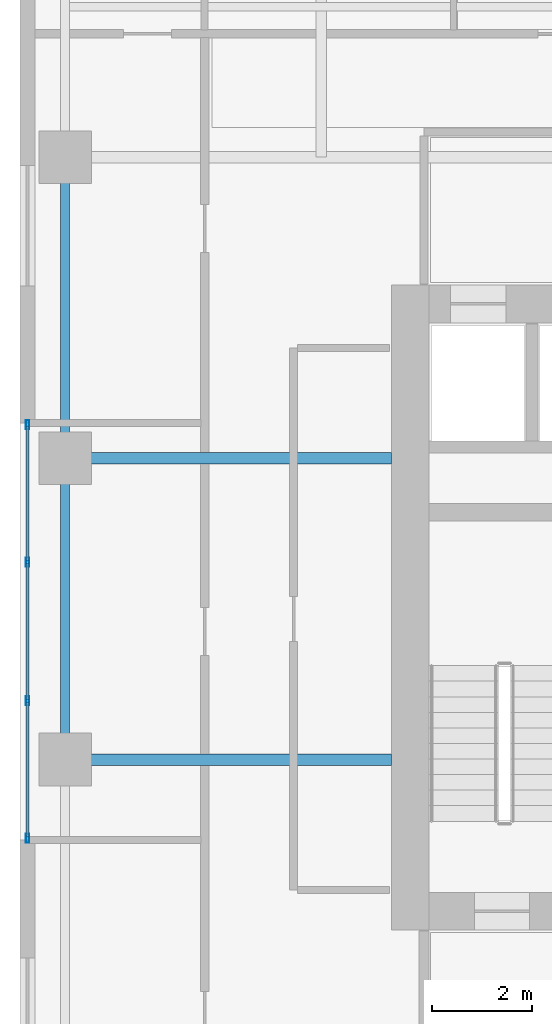
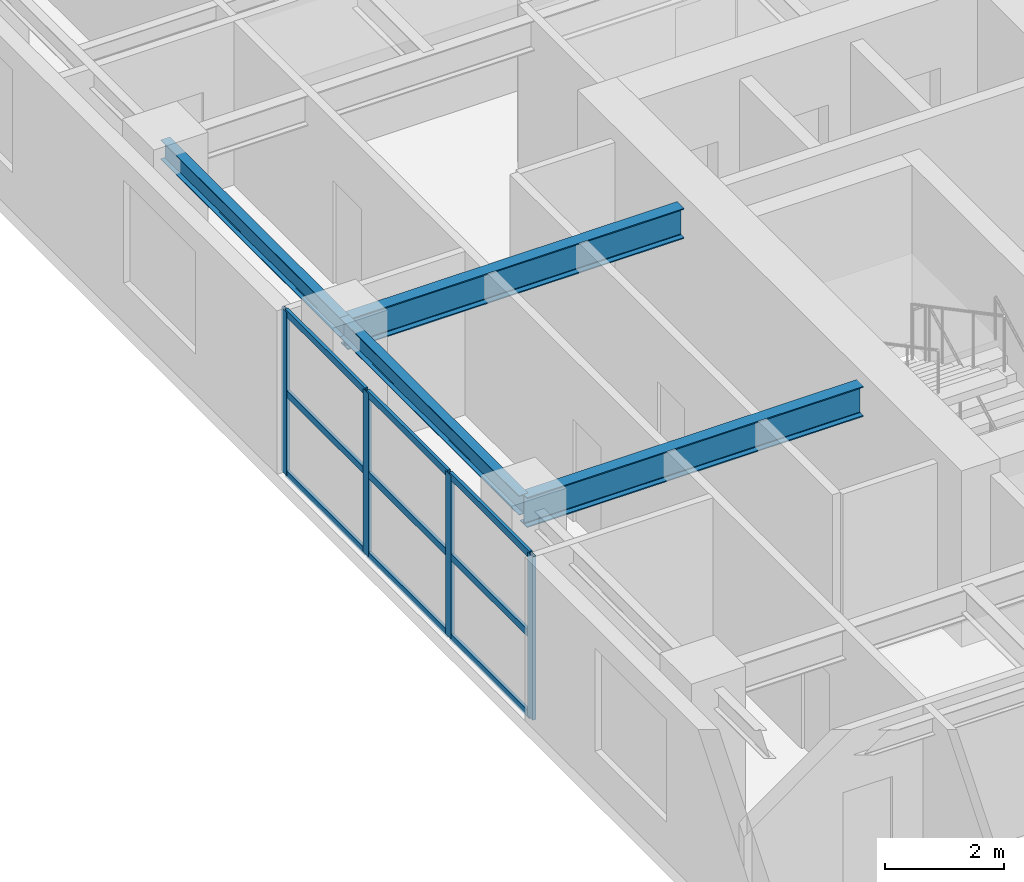
# One storey, part 2 of 16: 13 members, 4 beams, 1 element without a shape of its own.
"""IFC4 building model written with IfcOpenShell, lengths in metres."""

from ifc_helpers import new_model, si_unit, direction, frame, origin, origin_2d, place, context, subcontext, project, spatial, hollow_rectangle, i_section, extrude, source, transform, mapped, material, layer, layer_set, material_profile, profile_set, type_object, element, aggregate, save


model = new_model("IFC4")

# Units and contexts
model_context = context("Model", 3, precision=1e-05, world=origin(), true_north=direction((0.0, 1.0)))
body_context = subcontext(model_context, "Body", "Model", "MODEL_VIEW")
ifc_project = project(units=[si_unit("LENGTHUNIT", "METRE"), si_unit("AREAUNIT", "SQUARE_METRE"), si_unit("VOLUMEUNIT", "CUBIC_METRE"), si_unit("PLANEANGLEUNIT", "RADIAN"), si_unit("MASSUNIT", "GRAM", prefix="KILO")], contexts=[model_context])

# Site, building, storey
site_placement = place(None, origin())
site = spatial("IfcSite", under=ifc_project, at=site_placement, CompositionType="ELEMENT")
building_placement = place(site_placement, origin())
building = spatial("IfcBuilding", under=site, at=building_placement, Name="Khoralis Quay Care Tower", CompositionType="ELEMENT")
storey_placement = place(building_placement, frame((0.0, 0.0, 137.699951171875)))
storey = spatial("IfcBuildingStorey", under=building, at=storey_placement, Name="L36", CompositionType="ELEMENT", Elevation=137.699951171875)

# Beams
ifc_material_1 = material(Name="Steel S355", Category="steel")
ifc_material_profile_1 = material_profile(ifc_material_1, i_section(OverallWidth=0.179931640625, OverallDepth=0.39990234375, WebThickness=0.008544921875, FlangeThickness=0.013427734375, FilletRadius=0.02099609375, at=origin_2d()), Name="Steel S355")
ifc_profile_set_1 = profile_set([ifc_material_profile_1], Name="Steel S355")
beam_type_1 = type_object("IfcBeamType", Name="BM-IPE400", PredefinedType="SPANDREL", material=ifc_profile_set_1)
shared_shape_1 = source(origin(), body_context, "Body", "SweptSolid", [
    extrude(i_section(OverallWidth=0.179931640625, OverallDepth=0.39990234375, WebThickness=0.008544921875, FlangeThickness=0.013427734375, FilletRadius=0.02099609375, at=origin_2d()), origin(), (0.0, 0.0, 1.0), 6.0),
])
for number, where, z_axis, x_axis, name in (
    (1, (0.89990234375, 18.0, 3.14013671875), (0.0, 1.0, 0.0), (-1.0, 0.0, 0.0), "BM-TSP-L36-13"),
    (2, (0.89990234375, 24.0, 3.14013671875), (0.0, 1.0, 0.0), (-1.0, 0.0, 0.0), "BM-TSP-L36-14"),
):
    element("IfcBeam", number, at=place(storey_placement, frame(where, z_axis=z_axis, x_axis=x_axis)), inside=storey, type_object=beam_type_1, Name=name, PredefinedType="SPANDREL", context=body_context, shape_type="MappedRepresentation", body=[
        mapped(shared_shape_1, transform((0.0, 0.0, 0.0), scale=1.0)),
    ])
ifc_material_profile_2 = material_profile(ifc_material_1, i_section(OverallWidth=0.22998046875, OverallDepth=0.616943359375, WebThickness=0.01318359375, FlangeThickness=0.022216796875, FilletRadius=0.01806640625, at=origin_2d()), Name="Steel S355")
ifc_profile_set_2 = profile_set([ifc_material_profile_2], Name="Steel S355")
beam_type_2 = type_object("IfcBeamType", Name="BM-W610X140", PredefinedType="BEAM", material=ifc_profile_set_2)
shared_shape_2 = source(origin(), body_context, "Body", "SweptSolid", [
    extrude(i_section(OverallWidth=0.22998046875, OverallDepth=0.616943359375, WebThickness=0.01318359375, FlangeThickness=0.022216796875, FilletRadius=0.01806640625, at=origin_2d()), origin(), (0.0, 0.0, 1.0), 6.502197265625),
])
for number, where, z_axis, x_axis, name in (
    (3, (0.89990234375, 18.0, 3.031494140625), (1.0, 0.0, 0.0), (0.0, 1.0, 0.0), "BM-TGXW-L36-180"),
    (4, (0.89990234375, 24.0, 3.031494140625), (1.0, 0.0, 0.0), (0.0, 1.0, 0.0), "BM-TGXW-L36-240"),
):
    element("IfcBeam", number, at=place(storey_placement, frame(where, z_axis=z_axis, x_axis=x_axis)), inside=storey, type_object=beam_type_2, Name=name, PredefinedType="BEAM", context=body_context, shape_type="MappedRepresentation", body=[
        mapped(shared_shape_2, transform((0.0, 0.0, 0.0), scale=1.0)),
    ])

# Curtain wall, members
ifc_material_2 = material(Name="Pale anodised aluminium", Category="aluminium")
ifc_layer = layer(ifc_material_2, 0.169921875)
ifc_layer_set = layer_set([ifc_layer], Name="Pale anodised aluminium")
curtain_wall_type = type_object("IfcCurtainWallType", Name="CW-SYS-Z2", PredefinedType="NOTDEFINED", material=ifc_layer_set)
curtain_wall_placement = place(storey_placement, origin())
curtain_wall = element("IfcCurtainWall", 5, at=curtain_wall_placement, inside=storey, type_object=curtain_wall_type, Name="L36 Unitised Curtain Wall CW-L36-P1-E15", PredefinedType="NOTDEFINED")
ifc_material_profile_3 = material_profile(ifc_material_2, hollow_rectangle(XDim=0.06494140625, YDim=0.179931640625, WallThickness=0.00390625, at=origin_2d()), Name="Pale anodised aluminium")
ifc_profile_set_3 = profile_set([ifc_material_profile_3], Name="Pale anodised aluminium")
member_type_1 = type_object("IfcMemberType", Name="CW-MUL-180", PredefinedType="MULLION", material=ifc_profile_set_3)
shared_shape_3 = source(origin(), body_context, "Body", "SweptSolid", [
    extrude(hollow_rectangle(XDim=0.06494140625, YDim=0.179931640625, WallThickness=0.00390625, at=origin_2d()), origin(), (0.0, 0.0, 1.0), 3.340087890625),
])
member_1_placement = place(storey_placement, frame((0.14990234375, 24.669921875, 0.0), z_axis=(0.0, 0.0, 1.0), x_axis=(1.0, 0.0, 0.0)))
member_1 = element("IfcMember", 6, at=member_1_placement, type_object=member_type_1, Name="CW2 mullion 1", PredefinedType="MULLION", context=body_context, shape_type="MappedRepresentation", body=[
    mapped(shared_shape_3, transform((0.0, 0.0, 0.0), scale=1.0)),
])
member_2_placement = place(storey_placement, frame((0.14990234375, 21.933349609375, 0.0), z_axis=(0.0, 0.0, 1.0), x_axis=(1.0, 0.0, 0.0)))
member_2 = element("IfcMember", 7, at=member_2_placement, type_object=member_type_1, Name="CW2 mullion 2", PredefinedType="MULLION", context=body_context, shape_type="MappedRepresentation", body=[
    mapped(shared_shape_3, transform((0.0, 0.0, 0.0), scale=1.0)),
])
member_3_placement = place(storey_placement, frame((0.14990234375, 19.166748046875, 0.0), z_axis=(0.0, 0.0, 1.0), x_axis=(1.0, 0.0, 0.0)))
member_3 = element("IfcMember", 8, at=member_3_placement, type_object=member_type_1, Name="CW2 mullion 3", PredefinedType="MULLION", context=body_context, shape_type="MappedRepresentation", body=[
    mapped(shared_shape_3, transform((0.0, 0.0, 0.0), scale=1.0)),
])
member_4_placement = place(storey_placement, frame((0.14990234375, 16.429931640625, 0.0), z_axis=(0.0, 0.0, 1.0), x_axis=(1.0, 0.0, 0.0)))
member_4 = element("IfcMember", 9, at=member_4_placement, type_object=member_type_1, Name="CW2 mullion 4", PredefinedType="MULLION", context=body_context, shape_type="MappedRepresentation", body=[
    mapped(shared_shape_3, transform((0.0, 0.0, 0.0), scale=1.0)),
])
ifc_material_profile_4 = material_profile(ifc_material_2, hollow_rectangle(XDim=0.06005859375, YDim=0.139892578125, WallThickness=0.00390625, at=origin_2d()), Name="Pale anodised aluminium")
ifc_profile_set_4 = profile_set([ifc_material_profile_4], Name="Pale anodised aluminium")
member_type_2 = type_object("IfcMemberType", Name="CW-TRN-140", PredefinedType="USERDEFINED", material=ifc_profile_set_4)
shared_shape_4 = source(origin(), body_context, "Body", "SweptSolid", [
    extrude(hollow_rectangle(XDim=0.06005859375, YDim=0.139892578125, WallThickness=0.00390625, at=origin_2d()), origin(), (0.0, 0.0, 1.0), 2.6767578125),
])
member_5_placement = place(storey_placement, frame((0.14990234375, 19.13671875, 0.030029296875), z_axis=(0.0, -1.0, 0.0), x_axis=(1.0, 0.0, 0.0)))
member_5 = element("IfcMember", 10, at=member_5_placement, type_object=member_type_2, Name="CW2 transom 3.1", ObjectType="TRANSOM", PredefinedType="USERDEFINED", context=body_context, shape_type="MappedRepresentation", body=[
    mapped(shared_shape_4, transform((0.0, 0.0, 0.0), scale=1.0)),
])
member_6_placement = place(storey_placement, frame((0.14990234375, 19.13671875, 1.670166015625), z_axis=(0.0, -1.0, 0.0), x_axis=(1.0, 0.0, 0.0)))
member_6 = element("IfcMember", 11, at=member_6_placement, type_object=member_type_2, Name="CW2 transom 3.2", ObjectType="TRANSOM", PredefinedType="USERDEFINED", context=body_context, shape_type="MappedRepresentation", body=[
    mapped(shared_shape_4, transform((0.0, 0.0, 0.0), scale=1.0)),
])
member_7_placement = place(storey_placement, frame((0.14990234375, 19.13671875, 3.31005859375), z_axis=(0.0, -1.0, 0.0), x_axis=(1.0, 0.0, 0.0)))
member_7 = element("IfcMember", 12, at=member_7_placement, type_object=member_type_2, Name="CW2 transom 3.3", ObjectType="TRANSOM", PredefinedType="USERDEFINED", context=body_context, shape_type="MappedRepresentation", body=[
    mapped(shared_shape_4, transform((0.0, 0.0, 0.0), scale=1.0)),
])
shared_shape_5 = source(origin(), body_context, "Body", "SweptSolid", [
    extrude(hollow_rectangle(XDim=0.06005859375, YDim=0.139892578125, WallThickness=0.00390625, at=origin_2d()), origin(), (0.0, 0.0, 1.0), 2.70654296875),
])
member_8_placement = place(storey_placement, frame((0.14990234375, 21.9033203125, 0.030029296875), z_axis=(0.0, -1.0, 0.0), x_axis=(1.0, 0.0, 0.0)))
member_8 = element("IfcMember", 13, at=member_8_placement, type_object=member_type_2, Name="CW2 transom 2.1", ObjectType="TRANSOM", PredefinedType="USERDEFINED", context=body_context, shape_type="MappedRepresentation", body=[
    mapped(shared_shape_5, transform((0.0, 0.0, 0.0), scale=1.0)),
])
member_9_placement = place(storey_placement, frame((0.14990234375, 21.9033203125, 1.670166015625), z_axis=(0.0, -1.0, 0.0), x_axis=(1.0, 0.0, 0.0)))
member_9 = element("IfcMember", 14, at=member_9_placement, type_object=member_type_2, Name="CW2 transom 2.2", ObjectType="TRANSOM", PredefinedType="USERDEFINED", context=body_context, shape_type="MappedRepresentation", body=[
    mapped(shared_shape_5, transform((0.0, 0.0, 0.0), scale=1.0)),
])
member_10_placement = place(storey_placement, frame((0.14990234375, 21.9033203125, 3.31005859375), z_axis=(0.0, -1.0, 0.0), x_axis=(1.0, 0.0, 0.0)))
member_10 = element("IfcMember", 15, at=member_10_placement, type_object=member_type_2, Name="CW2 transom 2.3", ObjectType="TRANSOM", PredefinedType="USERDEFINED", context=body_context, shape_type="MappedRepresentation", body=[
    mapped(shared_shape_5, transform((0.0, 0.0, 0.0), scale=1.0)),
])
shared_shape_6 = source(origin(), body_context, "Body", "SweptSolid", [
    extrude(hollow_rectangle(XDim=0.06005859375, YDim=0.139892578125, WallThickness=0.00390625, at=origin_2d()), origin(), (0.0, 0.0, 1.0), 2.676513671875),
])
member_11_placement = place(storey_placement, frame((0.14990234375, 24.639892578125, 0.030029296875), z_axis=(0.0, -1.0, 0.0), x_axis=(1.0, 0.0, 0.0)))
member_11 = element("IfcMember", 16, at=member_11_placement, type_object=member_type_2, Name="CW2 transom 1.1", ObjectType="TRANSOM", PredefinedType="USERDEFINED", context=body_context, shape_type="MappedRepresentation", body=[
    mapped(shared_shape_6, transform((0.0, 0.0, 0.0), scale=1.0)),
])
member_12_placement = place(storey_placement, frame((0.14990234375, 24.639892578125, 1.670166015625), z_axis=(0.0, -1.0, 0.0), x_axis=(1.0, 0.0, 0.0)))
member_12 = element("IfcMember", 17, at=member_12_placement, type_object=member_type_2, Name="CW2 transom 1.2", ObjectType="TRANSOM", PredefinedType="USERDEFINED", context=body_context, shape_type="MappedRepresentation", body=[
    mapped(shared_shape_6, transform((0.0, 0.0, 0.0), scale=1.0)),
])
member_13_placement = place(storey_placement, frame((0.14990234375, 24.639892578125, 3.31005859375), z_axis=(0.0, -1.0, 0.0), x_axis=(1.0, 0.0, 0.0)))
member_13 = element("IfcMember", 18, at=member_13_placement, type_object=member_type_2, Name="CW2 transom 1.3", ObjectType="TRANSOM", PredefinedType="USERDEFINED", context=body_context, shape_type="MappedRepresentation", body=[
    mapped(shared_shape_6, transform((0.0, 0.0, 0.0), scale=1.0)),
])
aggregate(curtain_wall, [member_1, member_2, member_3, member_4, member_11, member_12, member_13, member_8, member_9, member_10, member_5, member_6, member_7])

save(model, "model.ifc")
